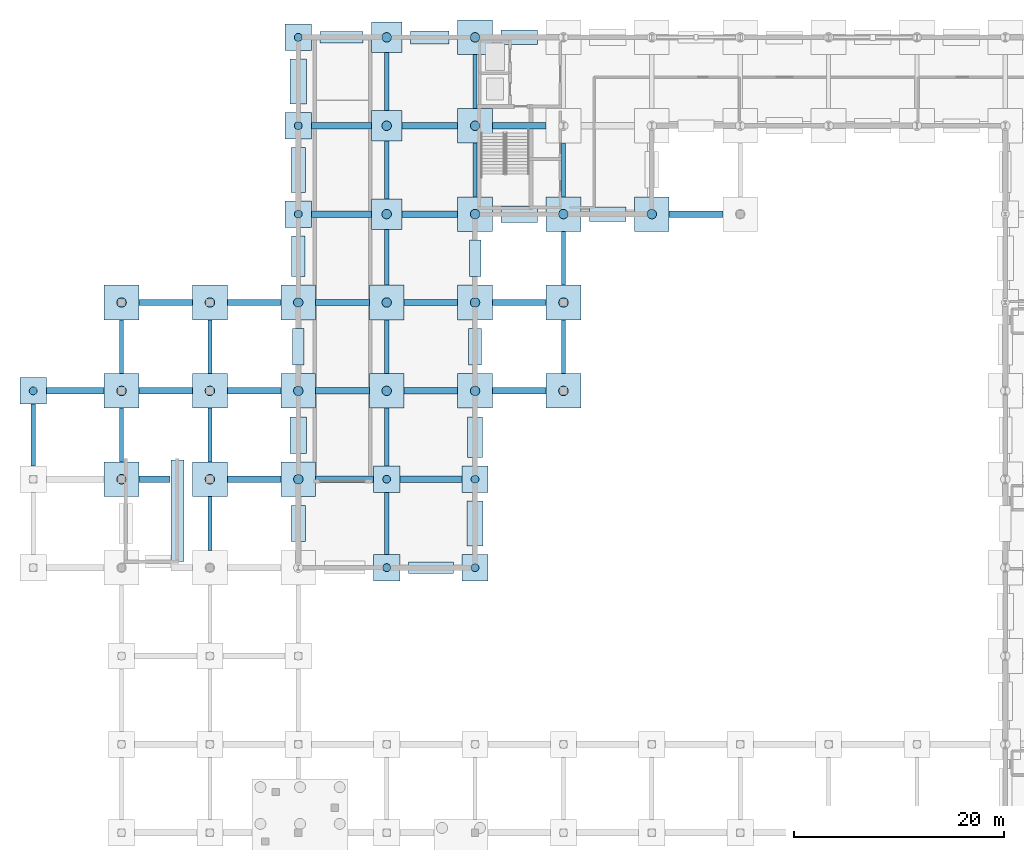
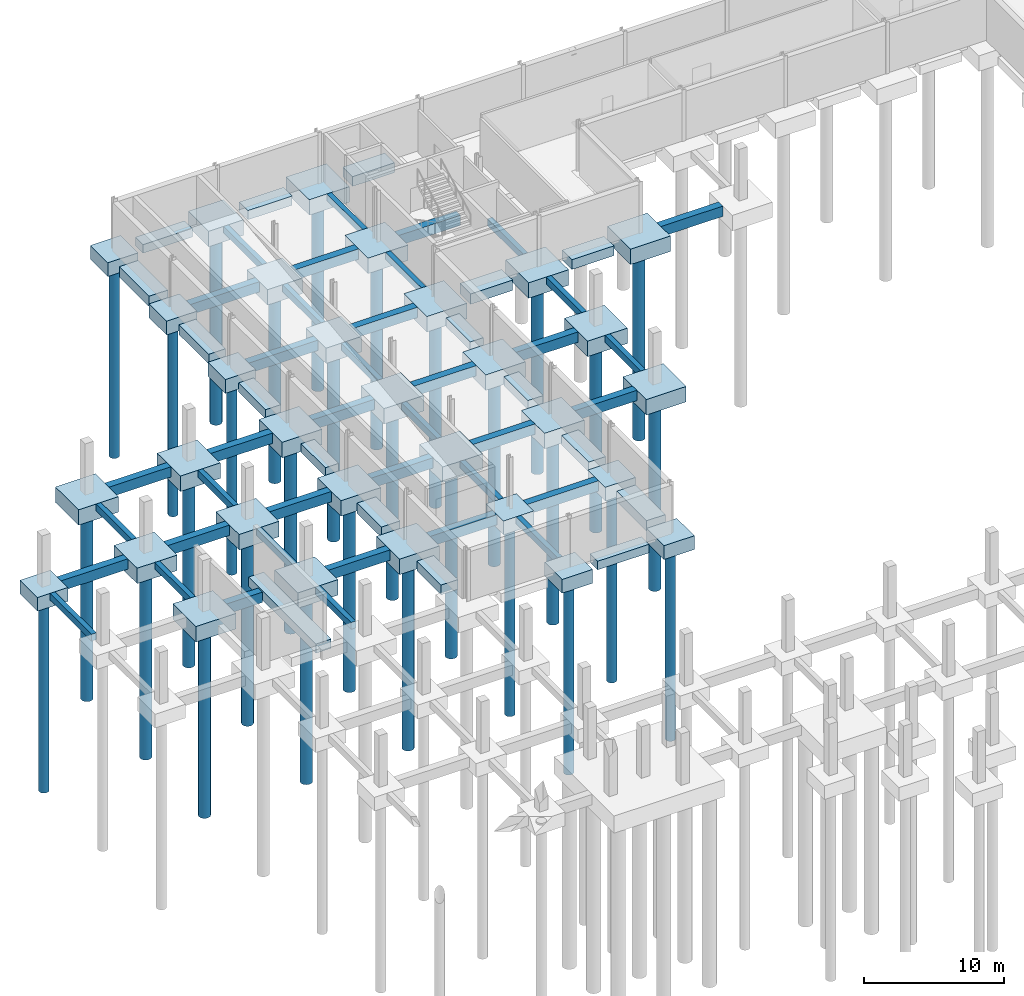
# One storey, part 4 of 43: 86 footings, 31 piles.
"""IFC4 building model written with IfcOpenShell, lengths in metres."""

from ifc_helpers import new_model, si_unit, direction, frame, origin, origin_2d, place, context, subcontext, project, spatial, rectangle, circle, extrude, material, layer, layer_set, material_profile, profile_set, type_object, element, save


model = new_model("IFC4")

# Units and contexts
model_context = context("Model", 3, precision=1e-05, world=origin(), true_north=direction((0.0, 1.0)))
body_context = subcontext(model_context, "Body", "Model", "MODEL_VIEW")
ifc_project = project(units=[si_unit("LENGTHUNIT", "METRE"), si_unit("AREAUNIT", "SQUARE_METRE"), si_unit("VOLUMEUNIT", "CUBIC_METRE"), si_unit("PLANEANGLEUNIT", "RADIAN"), si_unit("MASSUNIT", "GRAM", prefix="KILO")], contexts=[model_context])

# Site, building, storey
site_placement = place(None, origin())
site = spatial("IfcSite", under=ifc_project, at=site_placement, CompositionType="ELEMENT")
building_placement = place(site_placement, origin())
building = spatial("IfcBuilding", under=site, at=building_placement, Name="Mersafa Astral City Hall", CompositionType="ELEMENT")
storey_placement = place(building_placement, frame((0.0, 0.0, -4.5)))
storey = spatial("IfcBuildingStorey", under=building, at=storey_placement, Name="B1", CompositionType="ELEMENT", Elevation=-4.5)

# Footings
ifc_material = material(Name="Concrete C40/50", Category="concrete")
ifc_layer_1 = layer(ifc_material, 1.199951171875, Name="Concrete C40/50")
ifc_layer_set_1 = layer_set([ifc_layer_1], Name="Concrete C40/50 — STR-FTG-PC-2-250X250X1200")
footing_type_1 = type_object("IfcFootingType", Name="STR-FTG-PC-2-250X250X1200", PredefinedType="PILE_CAP", material=ifc_layer_set_1)
for number, where, z_axis, x_axis, name in (
    (1, (33.60009765625, 75.60009765625, -1.2001953125), (0.0, 0.0, 1.0), (1.0, 0.0, 0.0), "Reinforced concrete pile cap 133"),
    (2, (42.0, 75.60009765625, -1.2001953125), (0.0, 0.0, 1.0), (1.0, 0.0, 0.0), "Reinforced concrete pile cap 134"),
    (3, (33.60009765625, 84.0, -1.2001953125), (0.0, 0.0, 1.0), (1.0, 0.0, 0.0), "Reinforced concrete pile cap 147"),
    (4, (42.0, 84.0, -1.2001953125), (0.0, 0.0, 1.0), (1.0, 0.0, 0.0), "Reinforced concrete pile cap 148"),
    (5, (0.0, 92.39990234375, -1.2001953125), (0.0, 0.0, 1.0), (1.0, 0.0, 0.0), "Reinforced concrete pile cap 165"),
    (6, (25.199951171875, 109.199951171875, -1.2001953125), (0.0, 0.0, 1.0), (1.0, 0.0, 0.0), "Reinforced concrete pile cap 199"),
    (7, (25.199951171875, 117.60009765625, -1.2001953125), (0.0, 0.0, 1.0), (1.0, 0.0, 0.0), "Reinforced concrete pile cap 220"),
    (8, (25.199951171875, 126.0, -1.2001953125), (0.0, 0.0, 1.0), (1.0, 0.0, 0.0), "Reinforced concrete pile cap 240"),
):
    element("IfcFooting", number, at=place(storey_placement, frame(where, z_axis=z_axis, x_axis=x_axis)), inside=storey, type_object=footing_type_1, Name=name, PredefinedType="PILE_CAP", context=body_context, shape_type="SweptSolid", body=[
        extrude(rectangle(XDim=2.5, YDim=2.5, at=origin_2d()), origin(), (0.0, 0.0, 1.0), 1.199951171875),
    ])
ifc_layer_2 = layer(ifc_material, 1.35009765625, Name="Concrete C40/50")
ifc_layer_set_2 = layer_set([ifc_layer_2], Name="Concrete C40/50 — STR-FTG-PC-3-290X290X1350")
footing_type_2 = type_object("IfcFootingType", Name="STR-FTG-PC-3-290X290X1350", PredefinedType="PILE_CAP", material=ifc_layer_set_2)
for number, where, z_axis, x_axis, name in (
    (9, (33.60009765625, 109.199951171875, -1.35009765625), (0.0, 0.0, 1.0), (1.0, 0.0, 0.0), "Reinforced concrete pile cap 198"),
    (10, (33.60009765625, 117.60009765625, -1.35009765625), (0.0, 0.0, 1.0), (1.0, 0.0, 0.0), "Reinforced concrete pile cap 219"),
    (11, (33.60009765625, 126.0, -1.35009765625), (0.0, 0.0, 1.0), (1.0, 0.0, 0.0), "Reinforced concrete pile cap 239"),
):
    element("IfcFooting", number, at=place(storey_placement, frame(where, z_axis=z_axis, x_axis=x_axis)), inside=storey, type_object=footing_type_2, Name=name, PredefinedType="PILE_CAP", context=body_context, shape_type="SweptSolid", body=[
        extrude(rectangle(XDim=2.89990234375, YDim=2.89990234375, at=origin_2d()), origin(), (0.0, 0.0, 1.0), 1.35009765625),
    ])
ifc_layer_3 = layer(ifc_material, 1.35009765625, Name="Concrete C40/50")
ifc_layer_set_3 = layer_set([ifc_layer_3], Name="Concrete C40/50 — STR-FTG-PC-7-330X330X1350")
footing_type_3 = type_object("IfcFootingType", Name="STR-FTG-PC-7-330X330X1350", PredefinedType="PILE_CAP", material=ifc_layer_set_3)
for number, where, z_axis, x_axis, name in (
    (12, (8.39990234375, 84.0, -1.35009765625), (0.0, 0.0, 1.0), (1.0, 0.0, 0.0), "Reinforced concrete pile cap 138"),
    (13, (16.800048828125, 84.0, -1.35009765625), (0.0, 0.0, 1.0), (1.0, 0.0, 0.0), "Reinforced concrete pile cap 139"),
    (14, (25.199951171875, 84.0, -1.35009765625), (0.0, 0.0, 1.0), (1.0, 0.0, 0.0), "Reinforced concrete pile cap 140"),
    (15, (8.39990234375, 92.39990234375, -1.35009765625), (0.0, 0.0, 1.0), (1.0, 0.0, 0.0), "Reinforced concrete pile cap 152"),
    (16, (16.800048828125, 92.39990234375, -1.35009765625), (0.0, 0.0, 1.0), (1.0, 0.0, 0.0), "Reinforced concrete pile cap 153"),
    (17, (25.199951171875, 92.39990234375, -1.35009765625), (0.0, 0.0, 1.0), (1.0, 0.0, 0.0), "Reinforced concrete pile cap 154"),
    (18, (33.60009765625, 92.39990234375, -1.35009765625), (0.0, 0.0, 1.0), (1.0, 0.0, 0.0), "Reinforced concrete pile cap 155"),
    (19, (42.0, 92.39990234375, -1.35009765625), (0.0, 0.0, 1.0), (1.0, 0.0, 0.0), "Reinforced concrete pile cap 156"),
    (20, (50.39990234375, 92.39990234375, -1.35009765625), (0.0, 0.0, 1.0), (1.0, 0.0, 0.0), "Reinforced concrete pile cap 157"),
    (21, (8.39990234375, 100.800048828125, -1.35009765625), (0.0, 0.0, 1.0), (1.0, 0.0, 0.0), "Reinforced concrete pile cap 167"),
    (22, (16.800048828125, 100.800048828125, -1.35009765625), (0.0, 0.0, 1.0), (1.0, 0.0, 0.0), "Reinforced concrete pile cap 168"),
    (23, (25.199951171875, 100.800048828125, -1.35009765625), (0.0, 0.0, 1.0), (1.0, 0.0, 0.0), "Reinforced concrete pile cap 169"),
    (24, (33.60009765625, 100.800048828125, -1.35009765625), (0.0, 0.0, 1.0), (1.0, 0.0, 0.0), "Reinforced concrete pile cap 170"),
    (25, (42.0, 100.800048828125, -1.35009765625), (0.0, 0.0, 1.0), (1.0, 0.0, 0.0), "Reinforced concrete pile cap 171"),
    (26, (50.39990234375, 100.800048828125, -1.35009765625), (0.0, 0.0, 1.0), (1.0, 0.0, 0.0), "Reinforced concrete pile cap 172"),
    (27, (42.0, 109.199951171875, -1.35009765625), (0.0, 0.0, 1.0), (1.0, 0.0, 0.0), "Reinforced concrete pile cap 183"),
    (28, (50.39990234375, 109.199951171875, -1.35009765625), (0.0, 0.0, 1.0), (1.0, 0.0, 0.0), "Reinforced concrete pile cap 184"),
    (29, (58.800048828125, 109.199951171875, -1.35009765625), (0.0, 0.0, 1.0), (1.0, 0.0, 0.0), "Reinforced concrete pile cap 185"),
    (30, (42.0, 117.60009765625, -1.35009765625), (0.0, 0.0, 1.0), (1.0, 0.0, 0.0), "Reinforced concrete pile cap 201"),
    (31, (42.0, 126.0, -1.35009765625), (0.0, 0.0, 1.0), (1.0, 0.0, 0.0), "Reinforced concrete pile cap 221"),
):
    element("IfcFooting", number, at=place(storey_placement, frame(where, z_axis=z_axis, x_axis=x_axis)), inside=storey, type_object=footing_type_3, Name=name, PredefinedType="PILE_CAP", context=body_context, shape_type="SweptSolid", body=[
        extrude(rectangle(XDim=3.300048828125, YDim=3.300048828125, at=origin_2d()), origin(), (0.0, 0.0, 1.0), 1.35009765625),
    ])
ifc_layer_4 = layer(ifc_material, 0.75, Name="Concrete C40/50")
ifc_layer_set_4 = layer_set([ifc_layer_4], Name="Concrete C40/50 — STR-FTG-STRIP-1")
footing_type_4 = type_object("IfcFootingType", Name="STR-FTG-STRIP-1", PredefinedType="STRIP_FOOTING", material=ifc_layer_set_4)
footing_1_placement = place(storey_placement, frame((42.0, 105.0, -0.75), z_axis=(0.0, 0.0, 1.0), x_axis=(0.0, -1.0, 0.0)))
element("IfcFooting", 32, at=footing_1_placement, inside=storey, type_object=footing_type_4, Name="Retaining wall strip footing 20", PredefinedType="STRIP_FOOTING", context=body_context, shape_type="SweptSolid", body=[
    extrude(rectangle(XDim=3.4599609375, YDim=1.10009765625, at=origin_2d()), origin(), (0.0, 0.0, 1.0), 0.75),
])
footing_2_placement = place(storey_placement, frame((37.800048828125, 75.60009765625, -0.75), z_axis=(0.0, 0.0, 1.0), x_axis=(-1.0, 0.0, 0.0)))
element("IfcFooting", 33, at=footing_2_placement, inside=storey, type_object=footing_type_4, Name="Retaining wall strip footing 24", PredefinedType="STRIP_FOOTING", context=body_context, shape_type="SweptSolid", body=[
    extrude(rectangle(XDim=4.260009765625, YDim=1.10009765625, at=origin_2d()), origin(), (0.0, 0.0, 1.0), 0.75),
])
footing_3_placement = place(storey_placement, frame((25.199951171875, 96.60009765625, -0.75), z_axis=(0.0, 0.0, 1.0), x_axis=(0.0, 1.0, 0.0)))
element("IfcFooting", 34, at=footing_3_placement, inside=storey, type_object=footing_type_4, Name="Retaining wall strip footing 28", PredefinedType="STRIP_FOOTING", context=body_context, shape_type="SweptSolid", body=[
    extrude(rectangle(XDim=3.4599609375, YDim=1.10009765625, at=origin_2d()), origin(), (0.0, 0.0, 1.0), 0.75),
])
footing_4_placement = place(storey_placement, frame((29.300048828125, 126.0, -0.75), z_axis=(0.0, 0.0, 1.0), x_axis=(1.0, 0.0, 0.0)))
element("IfcFooting", 35, at=footing_4_placement, inside=storey, type_object=footing_type_4, Name="Retaining wall strip footing 32", PredefinedType="STRIP_FOOTING", context=body_context, shape_type="SweptSolid", body=[
    extrude(rectangle(XDim=4.06005859375, YDim=1.10009765625, at=origin_2d()), origin(), (0.0, 0.0, 1.0), 0.75),
])
ifc_layer_5 = layer(ifc_material, 0.800048828125, Name="Concrete C40/50")
ifc_layer_set_5 = layer_set([ifc_layer_5], Name="Concrete C40/50 — STR-FTG-STRIP-2")
footing_type_5 = type_object("IfcFootingType", Name="STR-FTG-STRIP-2", PredefinedType="STRIP_FOOTING", material=ifc_layer_set_5)
footing_5_placement = place(storey_placement, frame((42.0, 96.60009765625, -0.7998046875), z_axis=(0.0, 0.0, 1.0), x_axis=(0.0, -1.0, 0.0)))
element("IfcFooting", 36, at=footing_5_placement, inside=storey, type_object=footing_type_5, Name="Retaining wall strip footing 21", PredefinedType="STRIP_FOOTING", context=body_context, shape_type="SweptSolid", body=[
    extrude(rectangle(XDim=3.4599609375, YDim=1.25, at=origin_2d()), origin(), (0.0, 0.0, 1.0), 0.800048828125),
])
footing_6_placement = place(storey_placement, frame((25.199951171875, 105.199951171875, -0.7998046875), z_axis=(0.0, 0.0, 1.0), x_axis=(0.0, 1.0, 0.0)))
element("IfcFooting", 37, at=footing_6_placement, inside=storey, type_object=footing_type_5, Name="Retaining wall strip footing 29", PredefinedType="STRIP_FOOTING", context=body_context, shape_type="SweptSolid", body=[
    extrude(rectangle(XDim=3.860107421875, YDim=1.25, at=origin_2d()), origin(), (0.0, 0.0, 1.0), 0.800048828125),
])
footing_7_placement = place(storey_placement, frame((37.699951171875, 126.0, -0.7998046875), z_axis=(0.0, 0.0, 1.0), x_axis=(1.0, 0.0, 0.0)))
element("IfcFooting", 38, at=footing_7_placement, inside=storey, type_object=footing_type_5, Name="Retaining wall strip footing 33", PredefinedType="STRIP_FOOTING", context=body_context, shape_type="SweptSolid", body=[
    extrude(rectangle(XDim=3.659912109375, YDim=1.25, at=origin_2d()), origin(), (0.0, 0.0, 1.0), 0.800048828125),
])
footing_8_placement = place(storey_placement, frame((13.715087890625, 81.0, -0.7998046875), z_axis=(0.0, 0.0, 1.0), x_axis=(0.0, 1.0, 0.0)))
element("IfcFooting", 39, at=footing_8_placement, inside=storey, type_object=footing_type_5, Name="Stair shaft K6 foundation strip footing 104", PredefinedType="STRIP_FOOTING", context=body_context, shape_type="SweptSolid", body=[
    extrude(rectangle(XDim=9.64990234375, YDim=1.25, at=origin_2d()), origin(), (0.0, 0.0, 1.0), 0.800048828125),
])
ifc_layer_6 = layer(ifc_material, 0.85009765625, Name="Concrete C40/50")
ifc_layer_set_6 = layer_set([ifc_layer_6], Name="Concrete C40/50 — STR-FTG-STRIP-3")
footing_type_6 = type_object("IfcFootingType", Name="STR-FTG-STRIP-3", PredefinedType="STRIP_FOOTING", material=ifc_layer_set_6)
footing_9_placement = place(storey_placement, frame((54.60009765625, 109.199951171875, -0.85009765625), z_axis=(0.0, 0.0, 1.0), x_axis=(-1.0, 0.0, 0.0)))
element("IfcFooting", 40, at=footing_9_placement, inside=storey, type_object=footing_type_6, Name="Retaining wall strip footing 18", PredefinedType="STRIP_FOOTING", context=body_context, shape_type="SweptSolid", body=[
    extrude(rectangle(XDim=3.4599609375, YDim=1.39990234375, at=origin_2d()), origin(), (0.0, 0.0, 1.0), 0.85009765625),
])
footing_10_placement = place(storey_placement, frame((42.0, 88.0, -0.85009765625), z_axis=(0.0, 0.0, 1.0), x_axis=(0.0, -1.0, 0.0)))
element("IfcFooting", 41, at=footing_10_placement, inside=storey, type_object=footing_type_6, Name="Retaining wall strip footing 22", PredefinedType="STRIP_FOOTING", context=body_context, shape_type="SweptSolid", body=[
    extrude(rectangle(XDim=3.860107421875, YDim=1.39990234375, at=origin_2d()), origin(), (0.0, 0.0, 1.0), 0.85009765625),
])
footing_11_placement = place(storey_placement, frame((25.199951171875, 79.800048828125, -0.85009765625), z_axis=(0.0, 0.0, 1.0), x_axis=(0.0, 1.0, 0.0)))
element("IfcFooting", 42, at=footing_11_placement, inside=storey, type_object=footing_type_6, Name="Retaining wall strip footing 26", PredefinedType="STRIP_FOOTING", context=body_context, shape_type="SweptSolid", body=[
    extrude(rectangle(XDim=3.4599609375, YDim=1.39990234375, at=origin_2d()), origin(), (0.0, 0.0, 1.0), 0.85009765625),
])
footing_12_placement = place(storey_placement, frame((25.199951171875, 113.39990234375, -0.85009765625), z_axis=(0.0, 0.0, 1.0), x_axis=(0.0, 1.0, 0.0)))
element("IfcFooting", 43, at=footing_12_placement, inside=storey, type_object=footing_type_6, Name="Retaining wall strip footing 30", PredefinedType="STRIP_FOOTING", context=body_context, shape_type="SweptSolid", body=[
    extrude(rectangle(XDim=4.260009765625, YDim=1.39990234375, at=origin_2d()), origin(), (0.0, 0.0, 1.0), 0.85009765625),
])
footing_13_placement = place(storey_placement, frame((46.199951171875, 126.0, -0.85009765625), z_axis=(0.0, 0.0, 1.0), x_axis=(1.0, 0.0, 0.0)))
element("IfcFooting", 44, at=footing_13_placement, inside=storey, type_object=footing_type_6, Name="Retaining wall strip footing 34", PredefinedType="STRIP_FOOTING", context=body_context, shape_type="SweptSolid", body=[
    extrude(rectangle(XDim=3.4599609375, YDim=1.39990234375, at=origin_2d()), origin(), (0.0, 0.0, 1.0), 0.85009765625),
])
ifc_layer_7 = layer(ifc_material, 0.89990234375, Name="Concrete C40/50")
ifc_layer_set_7 = layer_set([ifc_layer_7], Name="Concrete C40/50 — STR-FTG-STRIP-4")
footing_type_7 = type_object("IfcFootingType", Name="STR-FTG-STRIP-4", PredefinedType="STRIP_FOOTING", material=ifc_layer_set_7)
footing_14_placement = place(storey_placement, frame((46.199951171875, 109.199951171875, -0.89990234375), z_axis=(0.0, 0.0, 1.0), x_axis=(-1.0, 0.0, 0.0)))
element("IfcFooting", 45, at=footing_14_placement, inside=storey, type_object=footing_type_7, Name="Retaining wall strip footing 19", PredefinedType="STRIP_FOOTING", context=body_context, shape_type="SweptSolid", body=[
    extrude(rectangle(XDim=3.4599609375, YDim=1.550048828125, at=origin_2d()), origin(), (0.0, 0.0, 1.0), 0.89990234375),
])
footing_15_placement = place(storey_placement, frame((42.0, 79.800048828125, -0.89990234375), z_axis=(0.0, 0.0, 1.0), x_axis=(0.0, -1.0, 0.0)))
element("IfcFooting", 46, at=footing_15_placement, inside=storey, type_object=footing_type_7, Name="Retaining wall strip footing 23", PredefinedType="STRIP_FOOTING", context=body_context, shape_type="SweptSolid", body=[
    extrude(rectangle(XDim=4.260009765625, YDim=1.550048828125, at=origin_2d()), origin(), (0.0, 0.0, 1.0), 0.89990234375),
])
footing_16_placement = place(storey_placement, frame((25.199951171875, 88.199951171875, -0.89990234375), z_axis=(0.0, 0.0, 1.0), x_axis=(0.0, 1.0, 0.0)))
element("IfcFooting", 47, at=footing_16_placement, inside=storey, type_object=footing_type_7, Name="Retaining wall strip footing 27", PredefinedType="STRIP_FOOTING", context=body_context, shape_type="SweptSolid", body=[
    extrude(rectangle(XDim=3.4599609375, YDim=1.550048828125, at=origin_2d()), origin(), (0.0, 0.0, 1.0), 0.89990234375),
])
footing_17_placement = place(storey_placement, frame((25.199951171875, 121.800048828125, -0.89990234375), z_axis=(0.0, 0.0, 1.0), x_axis=(0.0, 1.0, 0.0)))
element("IfcFooting", 48, at=footing_17_placement, inside=storey, type_object=footing_type_7, Name="Retaining wall strip footing 31", PredefinedType="STRIP_FOOTING", context=body_context, shape_type="SweptSolid", body=[
    extrude(rectangle(XDim=4.260009765625, YDim=1.550048828125, at=origin_2d()), origin(), (0.0, 0.0, 1.0), 0.89990234375),
])
ifc_material_profile_1 = material_profile(ifc_material, rectangle(XDim=0.39990234375, YDim=0.60009765625, at=origin_2d()), Name="RC 400x600")
ifc_profile_set_1 = profile_set([ifc_material_profile_1], Name="Concrete C40/50")
footing_type_8 = type_object("IfcFootingType", Name="STR-FTG-TIE-400X600", PredefinedType="FOOTING_BEAM", material=ifc_profile_set_1)
footing_18_placement = place(storey_placement, frame((0.0, 85.248046875, -0.300048828125), z_axis=(0.0, 1.0, 0.0), x_axis=(-1.0, 0.0, 0.0)))
element("IfcFooting", 49, at=footing_18_placement, inside=storey, type_object=footing_type_8, Name="Reinforced concrete ground tie beam 4", PredefinedType="FOOTING_BEAM", context=body_context, shape_type="SweptSolid", body=[
    extrude(rectangle(XDim=0.39990234375, YDim=0.60009765625, at=origin_2d()), origin(), (0.0, 0.0, 1.0), 5.904052734375),
])
for number, where, z_axis, x_axis, name in (
    (50, (8.39990234375, 85.64794921875, -0.300048828125), (0.0, 1.0, 0.0), (-1.0, 0.0, 0.0), "Reinforced concrete ground tie beam 14"),
    (51, (8.39990234375, 94.048095703125, -0.300048828125), (0.0, 1.0, 0.0), (-1.0, 0.0, 0.0), "Reinforced concrete ground tie beam 16"),
    (52, (16.800048828125, 77.248046875, -0.300048828125), (0.0, 1.0, 0.0), (-1.0, 0.0, 0.0), "Reinforced concrete ground tie beam 25"),
    (53, (16.800048828125, 85.64794921875, -0.300048828125), (0.0, 1.0, 0.0), (-1.0, 0.0, 0.0), "Reinforced concrete ground tie beam 27"),
    (54, (16.800048828125, 94.048095703125, -0.300048828125), (0.0, 1.0, 0.0), (-1.0, 0.0, 0.0), "Reinforced concrete ground tie beam 29"),
):
    element("IfcFooting", number, at=place(storey_placement, frame(where, z_axis=z_axis, x_axis=x_axis)), inside=storey, type_object=footing_type_8, Name=name, PredefinedType="FOOTING_BEAM", context=body_context, shape_type="SweptSolid", body=[
        extrude(rectangle(XDim=0.39990234375, YDim=0.60009765625, at=origin_2d()), origin(), (0.0, 0.0, 1.0), 5.10400390625),
    ])
footing_19_placement = place(storey_placement, frame((33.60009765625, 76.847900390625, -0.300048828125), z_axis=(0.0, 1.0, 0.0), x_axis=(-1.0, 0.0, 0.0)))
element("IfcFooting", 55, at=footing_19_placement, inside=storey, type_object=footing_type_8, Name="Reinforced concrete ground tie beam 44", PredefinedType="FOOTING_BEAM", context=body_context, shape_type="SweptSolid", body=[
    extrude(rectangle(XDim=0.39990234375, YDim=0.60009765625, at=origin_2d()), origin(), (0.0, 0.0, 1.0), 5.904052734375),
])
footing_20_placement = place(storey_placement, frame((33.60009765625, 85.248046875, -0.300048828125), z_axis=(0.0, 1.0, 0.0), x_axis=(-1.0, 0.0, 0.0)))
element("IfcFooting", 56, at=footing_20_placement, inside=storey, type_object=footing_type_8, Name="Reinforced concrete ground tie beam 46", PredefinedType="FOOTING_BEAM", context=body_context, shape_type="SweptSolid", body=[
    extrude(rectangle(XDim=0.39990234375, YDim=0.60009765625, at=origin_2d()), origin(), (0.0, 0.0, 1.0), 5.50390625),
])
footing_21_placement = place(storey_placement, frame((33.60009765625, 94.048095703125, -0.300048828125), z_axis=(0.0, 1.0, 0.0), x_axis=(-1.0, 0.0, 0.0)))
element("IfcFooting", 57, at=footing_21_placement, inside=storey, type_object=footing_type_8, Name="Reinforced concrete ground tie beam 48", PredefinedType="FOOTING_BEAM", context=body_context, shape_type="SweptSolid", body=[
    extrude(rectangle(XDim=0.39990234375, YDim=0.60009765625, at=origin_2d()), origin(), (0.0, 0.0, 1.0), 5.10400390625),
])
footing_22_placement = place(storey_placement, frame((33.60009765625, 102.447998046875, -0.300048828125), z_axis=(0.0, 1.0, 0.0), x_axis=(-1.0, 0.0, 0.0)))
element("IfcFooting", 58, at=footing_22_placement, inside=storey, type_object=footing_type_8, Name="Reinforced concrete ground tie beam 50", PredefinedType="FOOTING_BEAM", context=body_context, shape_type="SweptSolid", body=[
    extrude(rectangle(XDim=0.39990234375, YDim=0.60009765625, at=origin_2d()), origin(), (0.0, 0.0, 1.0), 5.303955078125),
])
footing_23_placement = place(storey_placement, frame((33.60009765625, 110.64794921875, -0.300048828125), z_axis=(0.0, 1.0, 0.0), x_axis=(-1.0, 0.0, 0.0)))
element("IfcFooting", 59, at=footing_23_placement, inside=storey, type_object=footing_type_8, Name="Reinforced concrete ground tie beam 52", PredefinedType="FOOTING_BEAM", context=body_context, shape_type="SweptSolid", body=[
    extrude(rectangle(XDim=0.39990234375, YDim=0.60009765625, at=origin_2d()), origin(), (0.0, 0.0, 1.0), 5.504150390625),
])
footing_24_placement = place(storey_placement, frame((33.60009765625, 119.048095703125, -0.300048828125), z_axis=(0.0, 1.0, 0.0), x_axis=(-1.0, 0.0, 0.0)))
element("IfcFooting", 60, at=footing_24_placement, inside=storey, type_object=footing_type_8, Name="Reinforced concrete ground tie beam 54", PredefinedType="FOOTING_BEAM", context=body_context, shape_type="SweptSolid", body=[
    extrude(rectangle(XDim=0.39990234375, YDim=0.60009765625, at=origin_2d()), origin(), (0.0, 0.0, 1.0), 5.50390625),
])
for number, where, z_axis, x_axis, name in (
    (61, (42.0, 110.847900390625, -0.300048828125), (0.0, 1.0, 0.0), (-1.0, 0.0, 0.0), "Reinforced concrete ground tie beam 60"),
    (62, (42.0, 119.248046875, -0.300048828125), (0.0, 1.0, 0.0), (-1.0, 0.0, 0.0), "Reinforced concrete ground tie beam 62"),
    (63, (50.39990234375, 94.048095703125, -0.300048828125), (0.0, 1.0, 0.0), (-1.0, 0.0, 0.0), "Reinforced concrete ground tie beam 66"),
    (64, (50.39990234375, 102.447998046875, -0.300048828125), (0.0, 1.0, 0.0), (-1.0, 0.0, 0.0), "Reinforced concrete ground tie beam 67"),
    (65, (50.39990234375, 110.847900390625, -0.300048828125), (0.0, 1.0, 0.0), (-1.0, 0.0, 0.0), "Reinforced concrete ground tie beam 68"),
):
    element("IfcFooting", number, at=place(storey_placement, frame(where, z_axis=z_axis, x_axis=x_axis)), inside=storey, type_object=footing_type_8, Name=name, PredefinedType="FOOTING_BEAM", context=body_context, shape_type="SweptSolid", body=[
        extrude(rectangle(XDim=0.39990234375, YDim=0.60009765625, at=origin_2d()), origin(), (0.0, 0.0, 1.0), 5.10400390625),
    ])
ifc_material_profile_2 = material_profile(ifc_material, rectangle(XDim=0.60009765625, YDim=0.89990234375, at=origin_2d()), Name="RC 600x900")
ifc_profile_set_2 = profile_set([ifc_material_profile_2], Name="Concrete C40/50")
footing_type_9 = type_object("IfcFootingType", Name="STR-FTG-TIE-600X900", PredefinedType="FOOTING_BEAM", material=ifc_profile_set_2)
footing_25_placement = place(storey_placement, frame((1.248046875, 92.39990234375, -0.449951171875), z_axis=(1.0, 0.0, 0.0), x_axis=(0.0, 1.0, 0.0)))
element("IfcFooting", 66, at=footing_25_placement, inside=storey, type_object=footing_type_9, Name="Reinforced concrete ground tie beam 5", PredefinedType="FOOTING_BEAM", context=body_context, shape_type="SweptSolid", body=[
    extrude(rectangle(XDim=0.60009765625, YDim=0.89990234375, at=origin_2d()), origin(), (0.0, 0.0, 1.0), 5.50390625),
])
footing_26_placement = place(storey_placement, frame((10.048095703125, 84.0, -0.449951171875), z_axis=(1.0, 0.0, 0.0), x_axis=(0.0, 1.0, 0.0)))
element("IfcFooting", 67, at=footing_26_placement, inside=storey, type_object=footing_type_9, Name="Reinforced concrete ground tie beam 13", PredefinedType="FOOTING_BEAM", context=body_context, shape_type="SweptSolid", body=[
    extrude(rectangle(XDim=0.60009765625, YDim=0.89990234375, at=origin_2d()), origin(), (0.0, 0.0, 1.0), 2.966796875),
])
for number, where, z_axis, x_axis, name in (
    (68, (10.048095703125, 92.39990234375, -0.449951171875), (1.0, 0.0, 0.0), (0.0, 1.0, 0.0), "Reinforced concrete ground tie beam 15"),
    (69, (10.048095703125, 100.800048828125, -0.449951171875), (1.0, 0.0, 0.0), (0.0, 1.0, 0.0), "Reinforced concrete ground tie beam 17"),
    (70, (18.447998046875, 84.0, -0.449951171875), (1.0, 0.0, 0.0), (0.0, 1.0, 0.0), "Reinforced concrete ground tie beam 26"),
    (71, (18.447998046875, 92.39990234375, -0.449951171875), (1.0, 0.0, 0.0), (0.0, 1.0, 0.0), "Reinforced concrete ground tie beam 28"),
    (72, (18.447998046875, 100.800048828125, -0.449951171875), (1.0, 0.0, 0.0), (0.0, 1.0, 0.0), "Reinforced concrete ground tie beam 30"),
):
    element("IfcFooting", number, at=place(storey_placement, frame(where, z_axis=z_axis, x_axis=x_axis)), inside=storey, type_object=footing_type_9, Name=name, PredefinedType="FOOTING_BEAM", context=body_context, shape_type="SweptSolid", body=[
        extrude(rectangle(XDim=0.60009765625, YDim=0.89990234375, at=origin_2d()), origin(), (0.0, 0.0, 1.0), 5.10400390625),
    ])
footing_27_placement = place(storey_placement, frame((26.847900390625, 84.0, -0.449951171875), z_axis=(1.0, 0.0, 0.0), x_axis=(0.0, 1.0, 0.0)))
element("IfcFooting", 73, at=footing_27_placement, inside=storey, type_object=footing_type_9, Name="Reinforced concrete ground tie beam 36", PredefinedType="FOOTING_BEAM", context=body_context, shape_type="SweptSolid", body=[
    extrude(rectangle(XDim=0.60009765625, YDim=0.89990234375, at=origin_2d()), origin(), (0.0, 0.0, 1.0), 5.504150390625),
])
for number, where, z_axis, x_axis, name in (
    (74, (26.847900390625, 92.39990234375, -0.449951171875), (1.0, 0.0, 0.0), (0.0, 1.0, 0.0), "Reinforced concrete ground tie beam 37"),
    (75, (26.847900390625, 100.800048828125, -0.449951171875), (1.0, 0.0, 0.0), (0.0, 1.0, 0.0), "Reinforced concrete ground tie beam 38"),
):
    element("IfcFooting", number, at=place(storey_placement, frame(where, z_axis=z_axis, x_axis=x_axis)), inside=storey, type_object=footing_type_9, Name=name, PredefinedType="FOOTING_BEAM", context=body_context, shape_type="SweptSolid", body=[
        extrude(rectangle(XDim=0.60009765625, YDim=0.89990234375, at=origin_2d()), origin(), (0.0, 0.0, 1.0), 5.10400390625),
    ])
for number, where, z_axis, x_axis, name in (
    (76, (26.447998046875, 109.199951171875, -0.449951171875), (1.0, 0.0, 0.0), (0.0, 1.0, 0.0), "Reinforced concrete ground tie beam 39"),
    (77, (26.447998046875, 117.60009765625, -0.449951171875), (1.0, 0.0, 0.0), (0.0, 1.0, 0.0), "Reinforced concrete ground tie beam 40"),
):
    element("IfcFooting", number, at=place(storey_placement, frame(where, z_axis=z_axis, x_axis=x_axis)), inside=storey, type_object=footing_type_9, Name=name, PredefinedType="FOOTING_BEAM", context=body_context, shape_type="SweptSolid", body=[
        extrude(rectangle(XDim=0.60009765625, YDim=0.89990234375, at=origin_2d()), origin(), (0.0, 0.0, 1.0), 5.7041015625),
    ])
footing_28_placement = place(storey_placement, frame((34.847900390625, 84.0, -0.449951171875), z_axis=(1.0, 0.0, 0.0), x_axis=(0.0, 1.0, 0.0)))
element("IfcFooting", 78, at=footing_28_placement, inside=storey, type_object=footing_type_9, Name="Reinforced concrete ground tie beam 45", PredefinedType="FOOTING_BEAM", context=body_context, shape_type="SweptSolid", body=[
    extrude(rectangle(XDim=0.60009765625, YDim=0.89990234375, at=origin_2d()), origin(), (0.0, 0.0, 1.0), 5.904052734375),
])
for number, where, z_axis, x_axis, name in (
    (79, (35.248046875, 92.39990234375, -0.449951171875), (1.0, 0.0, 0.0), (0.0, 1.0, 0.0), "Reinforced concrete ground tie beam 47"),
    (80, (35.248046875, 100.800048828125, -0.449951171875), (1.0, 0.0, 0.0), (0.0, 1.0, 0.0), "Reinforced concrete ground tie beam 49"),
):
    element("IfcFooting", number, at=place(storey_placement, frame(where, z_axis=z_axis, x_axis=x_axis)), inside=storey, type_object=footing_type_9, Name=name, PredefinedType="FOOTING_BEAM", context=body_context, shape_type="SweptSolid", body=[
        extrude(rectangle(XDim=0.60009765625, YDim=0.89990234375, at=origin_2d()), origin(), (0.0, 0.0, 1.0), 5.10400390625),
    ])
for number, where, z_axis, x_axis, name in (
    (81, (35.048095703125, 109.199951171875, -0.449951171875), (1.0, 0.0, 0.0), (0.0, 1.0, 0.0), "Reinforced concrete ground tie beam 51"),
    (82, (35.048095703125, 117.60009765625, -0.449951171875), (1.0, 0.0, 0.0), (0.0, 1.0, 0.0), "Reinforced concrete ground tie beam 53"),
):
    element("IfcFooting", number, at=place(storey_placement, frame(where, z_axis=z_axis, x_axis=x_axis)), inside=storey, type_object=footing_type_9, Name=name, PredefinedType="FOOTING_BEAM", context=body_context, shape_type="SweptSolid", body=[
        extrude(rectangle(XDim=0.60009765625, YDim=0.89990234375, at=origin_2d()), origin(), (0.0, 0.0, 1.0), 5.303955078125),
    ])
for number, where, z_axis, x_axis, name in (
    (83, (43.64794921875, 92.39990234375, -0.449951171875), (1.0, 0.0, 0.0), (0.0, 1.0, 0.0), "Reinforced concrete ground tie beam 58"),
    (84, (43.64794921875, 100.800048828125, -0.449951171875), (1.0, 0.0, 0.0), (0.0, 1.0, 0.0), "Reinforced concrete ground tie beam 59"),
    (85, (43.64794921875, 117.60009765625, -0.449951171875), (1.0, 0.0, 0.0), (0.0, 1.0, 0.0), "Reinforced concrete ground tie beam 61"),
    (86, (60.447998046875, 109.199951171875, -0.449951171875), (1.0, 0.0, 0.0), (0.0, 1.0, 0.0), "Reinforced concrete ground tie beam 74"),
):
    element("IfcFooting", number, at=place(storey_placement, frame(where, z_axis=z_axis, x_axis=x_axis)), inside=storey, type_object=footing_type_9, Name=name, PredefinedType="FOOTING_BEAM", context=body_context, shape_type="SweptSolid", body=[
        extrude(rectangle(XDim=0.60009765625, YDim=0.89990234375, at=origin_2d()), origin(), (0.0, 0.0, 1.0), 5.10400390625),
    ])

# Piles
ifc_material_profile_3 = material_profile(ifc_material, circle(Radius=0.375, at=origin_2d()), Name="PILE D750")
ifc_profile_set_3 = profile_set([ifc_material_profile_3], Name="Concrete C40/50")
pile_type_1 = type_object("IfcPileType", Name="STR-PILE-D750", PredefinedType="BORED", material=ifc_profile_set_3)
for number, where, z_axis, x_axis, name in (
    (87, (33.60009765625, 75.60009765625, -1.050048828125), (0.0, 0.0, -1.0), (1.0, 0.0, 0.0), "Bored concrete pile 156"),
    (88, (42.0, 75.60009765625, -1.050048828125), (0.0, 0.0, -1.0), (1.0, 0.0, 0.0), "Bored concrete pile 157"),
    (89, (33.60009765625, 84.0, -1.050048828125), (0.0, 0.0, -1.0), (1.0, 0.0, 0.0), "Bored concrete pile 170"),
    (90, (42.0, 84.0, -1.050048828125), (0.0, 0.0, -1.0), (1.0, 0.0, 0.0), "Bored concrete pile 171"),
    (91, (0.0, 92.39990234375, -1.050048828125), (0.0, 0.0, -1.0), (1.0, 0.0, 0.0), "Bored concrete pile 188"),
    (92, (25.199951171875, 109.199951171875, -1.050048828125), (0.0, 0.0, -1.0), (1.0, 0.0, 0.0), "Bored concrete pile 222"),
    (93, (25.199951171875, 117.60009765625, -1.050048828125), (0.0, 0.0, -1.0), (1.0, 0.0, 0.0), "Bored concrete pile 243"),
    (94, (25.199951171875, 126.0, -1.050048828125), (0.0, 0.0, -1.0), (1.0, 0.0, 0.0), "Bored concrete pile 263"),
):
    element("IfcPile", number, at=place(storey_placement, frame(where, z_axis=z_axis, x_axis=x_axis)), inside=storey, type_object=pile_type_1, Name=name, PredefinedType="BORED", context=body_context, shape_type="SweptSolid", body=[
        extrude(circle(Radius=0.375, at=origin_2d()), origin(), (0.0, 0.0, 1.0), 16.949951171875),
    ])
ifc_material_profile_4 = material_profile(ifc_material, circle(Radius=0.449951171875, at=origin_2d()), Name="PILE D900")
ifc_profile_set_4 = profile_set([ifc_material_profile_4], Name="Concrete C40/50")
pile_type_2 = type_object("IfcPileType", Name="STR-PILE-D900", PredefinedType="BORED", material=ifc_profile_set_4)
for number, where, z_axis, x_axis, name in (
    (95, (8.39990234375, 84.0, -1.199951171875), (0.0, 0.0, -1.0), (1.0, 0.0, 0.0), "Bored concrete pile 161"),
    (96, (16.800048828125, 84.0, -1.199951171875), (0.0, 0.0, -1.0), (1.0, 0.0, 0.0), "Bored concrete pile 162"),
    (97, (25.199951171875, 84.0, -1.199951171875), (0.0, 0.0, -1.0), (1.0, 0.0, 0.0), "Bored concrete pile 163"),
    (98, (8.39990234375, 92.39990234375, -1.199951171875), (0.0, 0.0, -1.0), (1.0, 0.0, 0.0), "Bored concrete pile 175"),
    (99, (16.800048828125, 92.39990234375, -1.199951171875), (0.0, 0.0, -1.0), (1.0, 0.0, 0.0), "Bored concrete pile 176"),
    (100, (25.199951171875, 92.39990234375, -1.199951171875), (0.0, 0.0, -1.0), (1.0, 0.0, 0.0), "Bored concrete pile 177"),
    (101, (33.60009765625, 92.39990234375, -1.199951171875), (0.0, 0.0, -1.0), (1.0, 0.0, 0.0), "Bored concrete pile 178"),
    (102, (42.0, 92.39990234375, -1.199951171875), (0.0, 0.0, -1.0), (1.0, 0.0, 0.0), "Bored concrete pile 179"),
    (103, (50.39990234375, 92.39990234375, -1.199951171875), (0.0, 0.0, -1.0), (1.0, 0.0, 0.0), "Bored concrete pile 180"),
    (104, (8.39990234375, 100.800048828125, -1.199951171875), (0.0, 0.0, -1.0), (1.0, 0.0, 0.0), "Bored concrete pile 190"),
    (105, (16.800048828125, 100.800048828125, -1.199951171875), (0.0, 0.0, -1.0), (1.0, 0.0, 0.0), "Bored concrete pile 191"),
    (106, (25.199951171875, 100.800048828125, -1.199951171875), (0.0, 0.0, -1.0), (1.0, 0.0, 0.0), "Bored concrete pile 192"),
    (107, (33.60009765625, 100.800048828125, -1.199951171875), (0.0, 0.0, -1.0), (1.0, 0.0, 0.0), "Bored concrete pile 193"),
    (108, (42.0, 100.800048828125, -1.199951171875), (0.0, 0.0, -1.0), (1.0, 0.0, 0.0), "Bored concrete pile 194"),
    (109, (50.39990234375, 100.800048828125, -1.199951171875), (0.0, 0.0, -1.0), (1.0, 0.0, 0.0), "Bored concrete pile 195"),
    (110, (42.0, 109.199951171875, -1.199951171875), (0.0, 0.0, -1.0), (1.0, 0.0, 0.0), "Bored concrete pile 206"),
    (111, (50.39990234375, 109.199951171875, -1.199951171875), (0.0, 0.0, -1.0), (1.0, 0.0, 0.0), "Bored concrete pile 207"),
    (112, (58.800048828125, 109.199951171875, -1.199951171875), (0.0, 0.0, -1.0), (1.0, 0.0, 0.0), "Bored concrete pile 208"),
    (113, (33.60009765625, 109.199951171875, -1.199951171875), (0.0, 0.0, -1.0), (1.0, 0.0, 0.0), "Bored concrete pile 221"),
    (114, (42.0, 117.60009765625, -1.199951171875), (0.0, 0.0, -1.0), (1.0, 0.0, 0.0), "Bored concrete pile 224"),
    (115, (33.60009765625, 117.60009765625, -1.199951171875), (0.0, 0.0, -1.0), (1.0, 0.0, 0.0), "Bored concrete pile 242"),
    (116, (42.0, 126.0, -1.199951171875), (0.0, 0.0, -1.0), (1.0, 0.0, 0.0), "Bored concrete pile 244"),
    (117, (33.60009765625, 126.0, -1.199951171875), (0.0, 0.0, -1.0), (1.0, 0.0, 0.0), "Bored concrete pile 262"),
):
    element("IfcPile", number, at=place(storey_placement, frame(where, z_axis=z_axis, x_axis=x_axis)), inside=storey, type_object=pile_type_2, Name=name, PredefinedType="BORED", context=body_context, shape_type="SweptSolid", body=[
        extrude(circle(Radius=0.449951171875, at=origin_2d()), origin(), (0.0, 0.0, 1.0), 16.800048828125),
    ])

save(model, "model.ifc")
